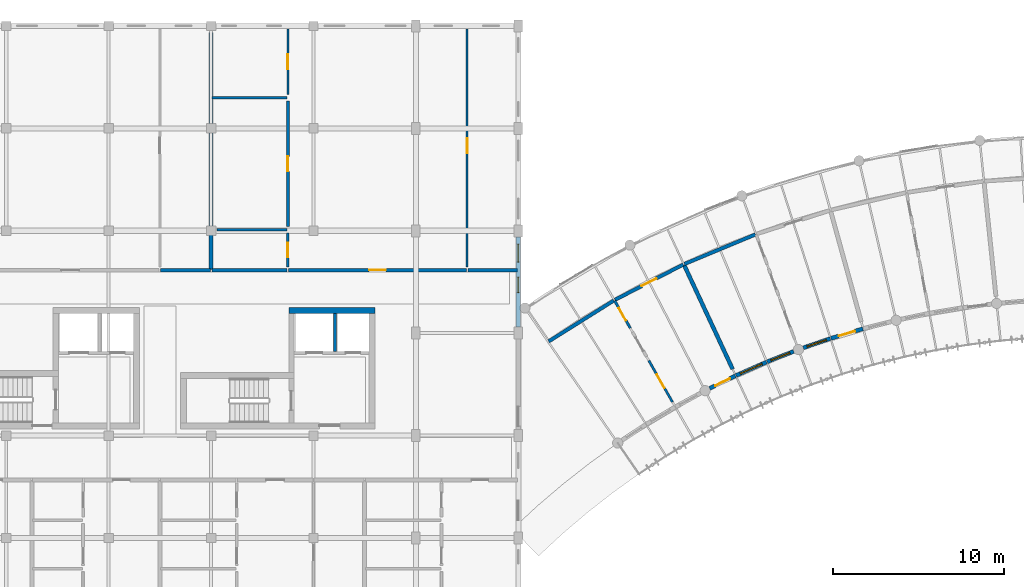
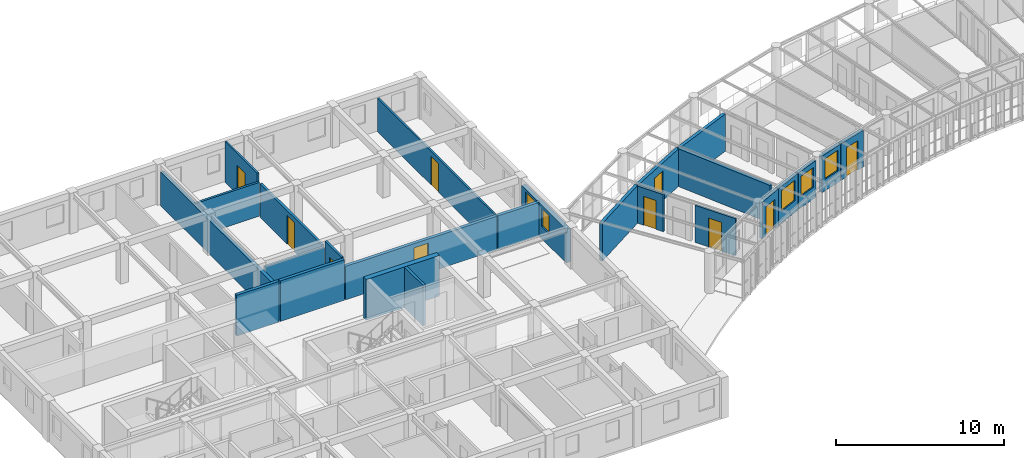
# One storey, part 72 of 101: 25 walls, 10 doors, 5 windows, 15 openings.
"""IFC4 building model written with IfcOpenShell, lengths in metres."""

from ifc_helpers import new_model, si_unit, direction, frame, frame_2d, origin, place, context, subcontext, project, spatial, rectangle, extrude, material, layer, layer_set, type_object, element, fill, save


model = new_model("IFC4")

# Units and contexts
model_context = context("Model", 3, precision=1e-05, world=origin(), true_north=direction((0.0, 1.0)))
body_context = subcontext(model_context, "Body", "Model", "MODEL_VIEW")
ifc_project = project(units=[si_unit("LENGTHUNIT", "METRE"), si_unit("AREAUNIT", "SQUARE_METRE"), si_unit("VOLUMEUNIT", "CUBIC_METRE"), si_unit("PLANEANGLEUNIT", "RADIAN"), si_unit("MASSUNIT", "GRAM", prefix="KILO"), si_unit("POWERUNIT", "WATT"), si_unit("THERMODYNAMICTEMPERATUREUNIT", "KELVIN")], contexts=[model_context])

# Site, building, storey
site_placement = place(None, origin())
site = spatial("IfcSite", under=ifc_project, at=site_placement, CompositionType="ELEMENT")
building_placement = place(site_placement, origin())
building = spatial("IfcBuilding", under=site, at=building_placement, Name="Ruvembo Vaulted Housing Court", CompositionType="ELEMENT")
storey_placement = place(building_placement, frame((0.0, 0.0, 17.300048828125)))
storey = spatial("IfcBuildingStorey", under=building, at=storey_placement, Name="L05", CompositionType="ELEMENT", Elevation=17.300048828125)

# Walls
ifc_material_1 = material(Name="Concrete C35/45", Category="concrete")
ifc_layer_1 = layer(ifc_material_1, 0.35009765625, Name="Concrete C35/45")
ifc_layer_set_1 = layer_set([ifc_layer_1], Name="Concrete C35/45")
wall_type_1 = type_object("IfcWallType", Name="WL-CORE-350", PredefinedType="SHEAR", material=ifc_layer_set_1)
wall_1_placement = place(storey_placement, frame((75.60009765625, 97.324951171875, 0.0), z_axis=(0.0, 0.0, 1.0), x_axis=(-1.0, 0.0, 0.0)))
element("IfcWall", 1, at=wall_1_placement, inside=storey, type_object=wall_type_1, Name="Core B2 L05 North Shear Wall", PredefinedType="SHEAR", context=body_context, shape_type="SweptSolid", body=[
    extrude(rectangle(XDim=5.050048828125, YDim=0.35009765625, at=frame_2d((2.52490234375, 0.0))), origin(), (0.0, 0.0, 1.0), 2.96484375),
])
ifc_material_2 = material(Name="Concrete Blockwork 210", Category="masonry")
ifc_layer_2 = layer(ifc_material_2, 0.2099609375, Name="Concrete Blockwork 210")
ifc_layer_set_2 = layer_set([ifc_layer_2], Name="Concrete Blockwork 210")
wall_type_2 = type_object("IfcWallType", Name="WL-CORR-210", PredefinedType="SOLIDWALL", material=ifc_layer_set_2)
wall_2_placement = place(storey_placement, frame((63.0400390625, 99.699951171875, 0.0), z_axis=(0.0, 0.0, 1.0), x_axis=(1.0, 0.0, 0.0)))
element("IfcWall", 2, at=wall_2_placement, inside=storey, type_object=wall_type_2, Name="L05 Flat B-L05-N1 Corridor Wall 2 WL-INT-L05-01473", PredefinedType="SOLIDWALL", context=body_context, shape_type="SweptSolid", body=[
    extrude(rectangle(XDim=2.919921875, YDim=0.2099609375, at=frame_2d((1.4599609375, 0.0))), origin(), (0.0, 0.0, 1.0), 2.96484375),
])
wall_3_placement = place(storey_placement, frame((66.0400390625, 99.699951171875, 0.0), z_axis=(0.0, 0.0, 1.0), x_axis=(1.0, 0.0, 0.0)))
element("IfcWall", 3, at=wall_3_placement, inside=storey, type_object=wall_type_2, Name="L05 Flat B-L05-N2 Corridor Wall WL-INT-L05-01475", PredefinedType="SOLIDWALL", context=body_context, shape_type="SweptSolid", body=[
    extrude(rectangle(XDim=4.419921875, YDim=0.2099609375, at=frame_2d((2.2099609375, 0.0))), origin(), (0.0, 0.0, 1.0), 2.96484375),
])

# Wall, opening, door
wall_4_placement = place(storey_placement, frame((70.5400390625, 99.699951171875, 0.0), z_axis=(0.0, 0.0, 1.0), x_axis=(1.0, 0.0, 0.0)))
wall_4 = element("IfcWall", 4, at=wall_4_placement, inside=storey, type_object=wall_type_2, Name="L05 Flat B-L05-N2 Entrance WL-INT-L05-01476", PredefinedType="SOLIDWALL", context=body_context, shape_type="SweptSolid", body=[
    extrude(rectangle(XDim=10.419921875, YDim=0.2099609375, at=frame_2d((5.2099609375, 0.0))), origin(), (0.0, 0.0, 1.0), 2.447021484375),
])
opening_1_placement = place(wall_4_placement, frame((4.719970703125, 0.0, 0.0)))
opening_1 = element("IfcOpeningElement", 5, at=opening_1_placement, cuts=wall_4, Name="Opening FD2", PredefinedType="OPENING", context=body_context, shape_type="SweptSolid", body=[
    extrude(rectangle(XDim=0.97998046875, YDim=2.14990234375, at=frame_2d((0.489990234375, 1.074951171875))), frame((0.0, 0.114990234375, 0.0), z_axis=(0.0, -1.0, 0.0), x_axis=(1.0, 0.0, 0.0)), (0.0, 0.0, 1.0), 0.22998046875),
])
ifc_material_3 = material(Name="FSC Hardwood and Engineered Timber", Category="wood")
door_type_1 = type_object("IfcDoorType", Name="DR-FLAT-0980x2150", OperationType="NOTDEFINED", PredefinedType="DOOR", material=ifc_material_3)
door_1_placement = place(opening_1_placement, origin())
door_1 = element("IfcDoor", 6, at=door_1_placement, inside=storey, type_object=door_type_1, Name="L05 Flat B-L05-N2 Entrance Door DR-INT-L05-00829", OperationType="SINGLE_SWING_LEFT", OverallHeight=2.14990234375, OverallWidth=0.97998046875, PredefinedType="DOOR", context=body_context, shape_type="SweptSolid", body=[
    extrude(rectangle(XDim=0.97998046875, YDim=2.14990234375, at=frame_2d((0.489990234375, 1.074951171875))), frame((0.0, 0.02490234375, 0.0), z_axis=(0.0, -1.0, 0.0), x_axis=(1.0, 0.0, 0.0)), (0.0, 0.0, 1.0), 0.050048828125),
])
fill(opening_1, door_1)

# Walls
wall_5_placement = place(storey_placement, frame((81.0400390625, 99.699951171875, 0.0), z_axis=(0.0, 0.0, 1.0), x_axis=(1.0, 0.0, 0.0)))
element("IfcWall", 7, at=wall_5_placement, inside=storey, type_object=wall_type_2, Name="L05 Flat B-L05-N2 Corridor Wall 2 WL-INT-L05-01482", PredefinedType="SOLIDWALL", context=body_context, shape_type="SweptSolid", body=[
    extrude(rectangle(XDim=2.919921875, YDim=0.2099609375, at=frame_2d((1.4599609375, 0.0))), origin(), (0.0, 0.0, 1.0), 2.447021484375),
])
wall_6_placement = place(storey_placement, frame((85.779052734375, 95.5205078125, 0.0), z_axis=(0.0, 0.0, 1.0), x_axis=(0.847037081085, 0.531533802563, 0.0)))
element("IfcWall", 8, at=wall_6_placement, inside=storey, type_object=wall_type_2, Name="L05 Suite SC3-L05-U1 Gallery Wall WL-INT-L05-01648", PredefinedType="SOLIDWALL", context=body_context, shape_type="SweptSolid", body=[
    extrude(rectangle(XDim=4.501220703125, YDim=0.2099609375, at=frame_2d((2.25048828125, 0.0))), origin(), (0.0, 0.0, 1.0), 2.75390625),
])

# Wall, opening, door
wall_7_placement = place(storey_placement, frame((89.661376953125, 97.95263671875, 0.0), z_axis=(0.0, 0.0, 1.0), x_axis=(0.888203141908, 0.459450953536, 0.0)))
wall_7 = element("IfcWall", 9, at=wall_7_placement, inside=storey, type_object=wall_type_2, Name="L05 Suite SC3-L05-U1 Entrance WL-INT-L05-01649", PredefinedType="SOLIDWALL", context=body_context, shape_type="SweptSolid", body=[
    extrude(rectangle(XDim=4.501220703125, YDim=0.2099609375, at=frame_2d((2.25048828125, 0.0))), origin(), (0.0, 0.0, 1.0), 2.73388671875),
])
opening_2_placement = place(wall_7_placement, frame((1.7607421875, 0.0, 0.0)))
opening_2 = element("IfcOpeningElement", 10, at=opening_2_placement, cuts=wall_7, Name="Opening FD2", PredefinedType="OPENING", context=body_context, shape_type="SweptSolid", body=[
    extrude(rectangle(XDim=0.97998046875, YDim=2.14990234375, at=frame_2d((0.489990234375, 1.074951171875))), frame((0.0, 0.114990234375, 0.0), z_axis=(0.0, -1.0, 0.0), x_axis=(1.0, 0.0, 0.0)), (0.0, 0.0, 1.0), 0.22998046875),
])
door_2_placement = place(opening_2_placement, origin())
door_2 = element("IfcDoor", 11, at=door_2_placement, inside=storey, type_object=door_type_1, Name="L05 Suite SC3-L05-U1 Entrance Door DR-INT-L05-00931", OperationType="SINGLE_SWING_LEFT", OverallHeight=2.14990234375, OverallWidth=0.97998046875, PredefinedType="DOOR", context=body_context, shape_type="SweptSolid", body=[
    extrude(rectangle(XDim=0.97998046875, YDim=2.14990234375, at=frame_2d((0.489990234375, 1.074951171875))), frame((0.0, 0.02490234375, 0.0), z_axis=(0.0, -1.0, 0.0), x_axis=(1.0, 0.0, 0.0)), (0.0, 0.0, 1.0), 0.050048828125),
])
fill(opening_2, door_2)

# Walls
wall_8_placement = place(storey_placement, frame((93.73193359375, 100.0546875, 0.0), z_axis=(0.0, 0.0, 1.0), x_axis=(0.923267760269, 0.384157054925, 0.0)))
element("IfcWall", 12, at=wall_8_placement, inside=storey, type_object=wall_type_2, Name="L05 Suite SC3-L05-U2 Gallery Wall WL-INT-L05-01654", PredefinedType="SOLIDWALL", context=body_context, shape_type="SweptSolid", body=[
    extrude(rectangle(XDim=4.50146484375, YDim=0.2099609375, at=frame_2d((2.250732421875, 0.0))), origin(), (0.0, 0.0, 1.0), 2.7138671875),
])
ifc_material_4 = material(Name="Acoustic Masonry Demising 230", Category="masonry")
ifc_layer_3 = layer(ifc_material_4, 0.22998046875, Name="Acoustic Masonry Demising 230")
ifc_layer_set_3 = layer_set([ifc_layer_3], Name="Acoustic Masonry Demising 230")
wall_type_3 = type_object("IfcWallType", Name="WL-DEM-230", PredefinedType="SOLIDWALL", material=ifc_layer_set_3)
wall_9_placement = place(storey_placement, frame((66.0, 99.739990234375, 0.0), z_axis=(0.0, 0.0, 1.0), x_axis=(0.0, 1.0, 0.0)))
element("IfcWall", 13, at=wall_9_placement, inside=storey, type_object=wall_type_3, Name="L05 Demising B-L05-N1 WL-INT-L05-01465", PredefinedType="SOLIDWALL", context=body_context, shape_type="SweptSolid", body=[
    extrude(rectangle(XDim=13.8701171875, YDim=0.22998046875, at=frame_2d((6.93505859375, 0.0))), origin(), (0.0, 0.0, 1.0), 2.4580078125),
])
wall_10_placement = place(storey_placement, frame((96.555908203125, 93.896728515625, 0.0), z_axis=(0.0, 0.0, 1.0), x_axis=(-0.422206763189, 0.906499558256, 0.0)))
element("IfcWall", 14, at=wall_10_placement, inside=storey, type_object=wall_type_3, Name="L05 Suite SC3-L05-U1 Demising WL-INT-L05-01653", PredefinedType="SOLIDWALL", context=body_context, shape_type="SweptSolid", body=[
    extrude(rectangle(XDim=6.736083984375, YDim=0.22998046875, at=frame_2d((3.3681640625, 0.0))), origin(), (0.0, 0.0, 1.0), 2.75390625),
])

# Wall, opening, door
ifc_material_5 = material(Name="Rendered Masonry 235", Category="masonry")
ifc_layer_4 = layer(ifc_material_5, 0.235107421875, Name="Rendered Masonry 235")
ifc_layer_set_4 = layer_set([ifc_layer_4], Name="Rendered Masonry 235")
wall_type_4 = type_object("IfcWallType", Name="WL-EXT-235", PredefinedType="STANDARD", material=ifc_layer_set_4)
wall_11_placement = place(storey_placement, frame((95.2158203125, 92.76611328125, 0.0), z_axis=(0.0, 0.0, 1.0), x_axis=(0.897558380725, 0.440895626186, 0.0)))
wall_11 = element("IfcWall", 15, at=wall_11_placement, inside=storey, type_object=wall_type_4, Name="Scoop SC3 L05 Concave Balcony Wall 3", PredefinedType="STANDARD", context=body_context, shape_type="SweptSolid", body=[
    extrude(rectangle(XDim=1.67236328125, YDim=0.235107421875, at=frame_2d((0.836181640625, 0.0))), origin(), (0.0, 0.0, 1.0), 2.676025390625),
])
opening_3_placement = place(wall_11_placement, frame((0.361083984375, 0.0, 0.0)))
opening_3 = element("IfcOpeningElement", 16, at=opening_3_placement, cuts=wall_11, Name="Opening BD0", PredefinedType="OPENING", context=body_context, shape_type="SweptSolid", body=[
    extrude(rectangle(XDim=0.949951171875, YDim=2.1201171875, at=frame_2d((0.47509765625, 1.06005859375))), frame((0.0, 0.12744140625, 0.0), z_axis=(0.0, -1.0, 0.0), x_axis=(1.0, 0.0, 0.0)), (0.0, 0.0, 1.0), 0.255126953125),
])
ifc_material_6 = material(Name="Thermally Broken Glazed Aluminium", Category="aluminium")
door_type_2 = type_object("IfcDoorType", Name="DR-BAL-0950x2120", OperationType="NOTDEFINED", PredefinedType="DOOR", material=ifc_material_6)
door_3_placement = place(opening_3_placement, frame((0.949951171875, 0.0, 0.0), z_axis=(0.0, 0.0, 1.0), x_axis=(-1.0, 0.0, 0.0)))
door_3 = element("IfcDoor", 17, at=door_3_placement, inside=storey, type_object=door_type_2, Name="Scoop SC3 L05 Balcony Door 3", OperationType="SINGLE_SWING_LEFT", OverallHeight=2.1201171875, OverallWidth=0.949951171875, PredefinedType="DOOR", context=body_context, shape_type="SweptSolid", body=[
    extrude(rectangle(XDim=0.949951171875, YDim=2.1201171875, at=frame_2d((0.47509765625, 1.06005859375))), frame((0.0, 0.02490234375, 0.0), z_axis=(0.0, -1.0, 0.0), x_axis=(1.0, 0.0, 0.0)), (0.0, 0.0, 1.0), 0.050048828125),
])
fill(opening_3, door_3)

# Wall, opening, window
wall_12_placement = place(storey_placement, frame((96.753173828125, 93.5205078125, 0.0), z_axis=(0.0, 0.0, 1.0), x_axis=(0.915126852478, 0.403166025197, 0.0)))
wall_12 = element("IfcWall", 18, at=wall_12_placement, inside=storey, type_object=wall_type_4, Name="Scoop SC3 L05 Concave Balcony Wall 4", PredefinedType="STANDARD", context=body_context, shape_type="SweptSolid", body=[
    extrude(rectangle(XDim=1.952392578125, YDim=0.235107421875, at=frame_2d((0.97607421875, 0.0))), origin(), (0.0, 0.0, 1.0), 2.676025390625),
])
opening_4_placement = place(wall_12_placement, frame((0.276123046875, 0.0, 0.85009765625)))
opening_4 = element("IfcOpeningElement", 19, at=opening_4_placement, cuts=wall_12, Name="Opening W17", PredefinedType="OPENING", context=body_context, shape_type="SweptSolid", body=[
    extrude(rectangle(XDim=1.39990234375, YDim=1.5, at=frame_2d((0.699951171875, 0.75))), frame((0.0, 0.12744140625, 0.0), z_axis=(0.0, -1.0, 0.0), x_axis=(1.0, 0.0, 0.0)), (0.0, 0.0, 1.0), 0.255126953125),
])
ifc_material_7 = material(Name="Double Solar-Control Glazing in Aluminium Frame", Category="aluminium")
window_type_1 = type_object("IfcWindowType", Name="WIN-1400x1500", PartitioningType="SINGLE_PANEL", PredefinedType="WINDOW", material=ifc_material_7)
window_1_placement = place(opening_4_placement, origin())
window_1 = element("IfcWindow", 20, at=window_1_placement, inside=storey, type_object=window_type_1, Name="Scoop SC3 L05 Concave Window 4", OverallHeight=1.5, OverallWidth=1.39990234375, PartitioningType="SINGLE_PANEL", PredefinedType="WINDOW", context=body_context, shape_type="SweptSolid", body=[
    extrude(rectangle(XDim=1.39990234375, YDim=1.5, at=frame_2d((0.699951171875, 0.75))), frame((0.0, 0.030029296875, 0.0), z_axis=(0.0, -1.0, 0.0), x_axis=(1.0, 0.0, 0.0)), (0.0, 0.0, 1.0), 0.06005859375),
])
fill(opening_4, window_1)

wall_13_placement = place(storey_placement, frame((98.57666015625, 94.322998046875, 0.0), z_axis=(0.0, 0.0, 1.0), x_axis=(0.930962495902, 0.365114819233, 0.0)))
wall_13 = element("IfcWall", 21, at=wall_13_placement, inside=storey, type_object=wall_type_4, Name="Scoop SC3 L05 Concave Balcony Wall 5", PredefinedType="STANDARD", context=body_context, shape_type="SweptSolid", body=[
    extrude(rectangle(XDim=1.67236328125, YDim=0.235107421875, at=frame_2d((0.836181640625, 0.0))), origin(), (0.0, 0.0, 1.0), 2.676025390625),
])
opening_5_placement = place(wall_13_placement, frame((0.236083984375, 0.0, 0.85009765625)))
opening_5 = element("IfcOpeningElement", 22, at=opening_5_placement, cuts=wall_13, Name="Opening W13", PredefinedType="OPENING", context=body_context, shape_type="SweptSolid", body=[
    extrude(rectangle(XDim=1.199951171875, YDim=1.449951171875, at=frame_2d((0.60009765625, 0.72509765625))), frame((0.0, 0.12744140625, 0.0), z_axis=(0.0, -1.0, 0.0), x_axis=(1.0, 0.0, 0.0)), (0.0, 0.0, 1.0), 0.255126953125),
])
window_type_2 = type_object("IfcWindowType", Name="WIN-1200x1450", PartitioningType="SINGLE_PANEL", PredefinedType="WINDOW", material=ifc_material_7)
window_2_placement = place(opening_5_placement, origin())
window_2 = element("IfcWindow", 23, at=window_2_placement, inside=storey, type_object=window_type_2, Name="Scoop SC3 L05 Concave Window 5", OverallHeight=1.449951171875, OverallWidth=1.199951171875, PartitioningType="SINGLE_PANEL", PredefinedType="WINDOW", context=body_context, shape_type="SweptSolid", body=[
    extrude(rectangle(XDim=1.199951171875, YDim=1.449951171875, at=frame_2d((0.60009765625, 0.72509765625))), frame((0.0, 0.030029296875, 0.0), z_axis=(0.0, -1.0, 0.0), x_axis=(1.0, 0.0, 0.0)), (0.0, 0.0, 1.0), 0.06005859375),
])
fill(opening_5, window_2)

wall_14_placement = place(storey_placement, frame((100.696533203125, 95.140869140625, 0.0), z_axis=(0.0, 0.0, 1.0), x_axis=(0.94537763557, 0.32597718657, 0.0)))
wall_14 = element("IfcWall", 24, at=wall_14_placement, inside=storey, type_object=wall_type_4, Name="Scoop SC3 L05 Concave Balcony Wall 6", PredefinedType="STANDARD", context=body_context, shape_type="SweptSolid", body=[
    extrude(rectangle(XDim=1.67236328125, YDim=0.235107421875, at=frame_2d((0.836181640625, 0.0))), origin(), (0.0, 0.0, 1.0), 2.676025390625),
])
opening_6_placement = place(wall_14_placement, frame((0.236083984375, 0.0, 0.85009765625)))
opening_6 = element("IfcOpeningElement", 25, at=opening_6_placement, cuts=wall_14, Name="Opening W14", PredefinedType="OPENING", context=body_context, shape_type="SweptSolid", body=[
    extrude(rectangle(XDim=1.199951171875, YDim=1.5, at=frame_2d((0.60009765625, 0.75))), frame((0.0, 0.12744140625, 0.0), z_axis=(0.0, -1.0, 0.0), x_axis=(1.0, 0.0, 0.0)), (0.0, 0.0, 1.0), 0.255126953125),
])
window_type_3 = type_object("IfcWindowType", Name="WIN-1200x1500", PartitioningType="SINGLE_PANEL", PredefinedType="WINDOW", material=ifc_material_7)
window_3_placement = place(opening_6_placement, origin())
window_3 = element("IfcWindow", 26, at=window_3_placement, inside=storey, type_object=window_type_3, Name="Scoop SC3 L05 Concave Window 6", OverallHeight=1.5, OverallWidth=1.199951171875, PartitioningType="SINGLE_PANEL", PredefinedType="WINDOW", context=body_context, shape_type="SweptSolid", body=[
    extrude(rectangle(XDim=1.199951171875, YDim=1.5, at=frame_2d((0.60009765625, 0.75))), frame((0.0, 0.030029296875, 0.0), z_axis=(0.0, -1.0, 0.0), x_axis=(1.0, 0.0, 0.0)), (0.0, 0.0, 1.0), 0.06005859375),
])
fill(opening_6, window_3)

# Wall, opening, door
wall_15_placement = place(storey_placement, frame((102.315673828125, 95.6982421875, 0.0), z_axis=(0.0, 0.0, 1.0), x_axis=(0.95807718441, 0.286510224446, 0.0)))
wall_15 = element("IfcWall", 27, at=wall_15_placement, inside=storey, type_object=wall_type_4, Name="Scoop SC3 L05 Concave Balcony Wall 7", PredefinedType="STANDARD", context=body_context, shape_type="SweptSolid", body=[
    extrude(rectangle(XDim=1.9521484375, YDim=0.235107421875, at=frame_2d((0.97607421875, 0.0))), origin(), (0.0, 0.0, 1.0), 2.676025390625),
])
opening_7_placement = place(wall_15_placement, frame((0.476318359375, 0.0, 0.0)))
opening_7 = element("IfcOpeningElement", 28, at=opening_7_placement, cuts=wall_15, Name="Opening BD1", PredefinedType="OPENING", context=body_context, shape_type="SweptSolid", body=[
    extrude(rectangle(XDim=1.0, YDim=2.14990234375, at=frame_2d((0.5, 1.074951171875))), frame((0.0, 0.12744140625, 0.0), z_axis=(0.0, -1.0, 0.0), x_axis=(1.0, 0.0, 0.0)), (0.0, 0.0, 1.0), 0.255126953125),
])
door_type_3 = type_object("IfcDoorType", Name="DR-BAL-1000x2150", OperationType="NOTDEFINED", PredefinedType="DOOR", material=ifc_material_6)
door_4_placement = place(opening_7_placement, frame((1.0, 0.0, 0.0), z_axis=(0.0, 0.0, 1.0), x_axis=(-1.0, 0.0, 0.0)))
door_4 = element("IfcDoor", 29, at=door_4_placement, inside=storey, type_object=door_type_3, Name="Scoop SC3 L05 Balcony Door 7", OperationType="SINGLE_SWING_RIGHT", OverallHeight=2.14990234375, OverallWidth=1.0, PredefinedType="DOOR", context=body_context, shape_type="SweptSolid", body=[
    extrude(rectangle(XDim=1.0, YDim=2.14990234375, at=frame_2d((0.5, 1.074951171875))), frame((0.0, 0.02490234375, 0.0), z_axis=(0.0, -1.0, 0.0), x_axis=(1.0, 0.0, 0.0)), (0.0, 0.0, 1.0), 0.050048828125),
])
fill(opening_7, door_4)

# Wall, openings, windows
ifc_material_8 = material(Name="Rendered Masonry 285", Category="masonry")
ifc_layer_5 = layer(ifc_material_8, 0.284912109375, Name="Rendered Masonry 285")
ifc_layer_set_5 = layer_set([ifc_layer_5], Name="Rendered Masonry 285")
wall_type_5 = type_object("IfcWallType", Name="WL-EXT-285", PredefinedType="STANDARD", material=ifc_layer_set_5)
wall_16_placement = place(storey_placement, frame((84.0, 96.35009765625, 0.0), z_axis=(0.0, 0.0, 1.0), x_axis=(0.0, 1.0, 0.0)))
wall_16 = element("IfcWall", 30, at=wall_16_placement, inside=storey, type_object=wall_type_5, Name="Block B L05 Exterior Wall EAST #4", PredefinedType="STANDARD", context=body_context, shape_type="SweptSolid", body=[
    extrude(rectangle(XDim=5.2998046875, YDim=0.284912109375, at=frame_2d((2.64990234375, 0.0))), origin(), (0.0, 0.0, 1.0), 2.447021484375),
])
opening_8_placement = place(wall_16_placement, frame((2.02880859375, 0.0, 0.89990234375)))
opening_8 = element("IfcOpeningElement", 31, at=opening_8_placement, cuts=wall_16, Name="Opening W04", PredefinedType="OPENING", context=body_context, shape_type="SweptSolid", body=[
    extrude(rectangle(XDim=0.89990234375, YDim=1.300048828125, at=frame_2d((0.449951171875, 0.64990234375))), frame((0.0, 0.15234375, 0.0), z_axis=(0.0, -1.0, 0.0), x_axis=(1.0, 0.0, 0.0)), (0.0, 0.0, 1.0), 0.304931640625),
])
opening_9_placement = place(wall_16_placement, frame((3.820068359375, 0.0, 0.89990234375)))
opening_9 = element("IfcOpeningElement", 32, at=opening_9_placement, cuts=wall_16, Name="Opening W09", PredefinedType="OPENING", context=body_context, shape_type="SweptSolid", body=[
    extrude(rectangle(XDim=1.050048828125, YDim=1.35009765625, at=frame_2d((0.52490234375, 0.675048828125))), frame((0.0, 0.15234375, 0.0), z_axis=(0.0, -1.0, 0.0), x_axis=(1.0, 0.0, 0.0)), (0.0, 0.0, 1.0), 0.304931640625),
])
window_type_4 = type_object("IfcWindowType", Name="WIN-0900x1300", PartitioningType="SINGLE_PANEL", PredefinedType="WINDOW", material=ifc_material_7)
window_4_placement = place(opening_8_placement, origin())
window_4 = element("IfcWindow", 33, at=window_4_placement, inside=storey, type_object=window_type_4, Name="Block B L05 Window #825", OverallHeight=1.300048828125, OverallWidth=0.89990234375, PartitioningType="SINGLE_PANEL", PredefinedType="WINDOW", context=body_context, shape_type="SweptSolid", body=[
    extrude(rectangle(XDim=0.89990234375, YDim=1.300048828125, at=frame_2d((0.449951171875, 0.64990234375))), frame((0.0, 0.030029296875, 0.0), z_axis=(0.0, -1.0, 0.0), x_axis=(1.0, 0.0, 0.0)), (0.0, 0.0, 1.0), 0.06005859375),
])
fill(opening_8, window_4)
window_type_5 = type_object("IfcWindowType", Name="WIN-1050x1350", PartitioningType="SINGLE_PANEL", PredefinedType="WINDOW", material=ifc_material_7)
window_5_placement = place(opening_9_placement, origin())
window_5 = element("IfcWindow", 34, at=window_5_placement, inside=storey, type_object=window_type_5, Name="Block B L05 Window #826", OverallHeight=1.35009765625, OverallWidth=1.050048828125, PartitioningType="SINGLE_PANEL", PredefinedType="WINDOW", context=body_context, shape_type="SweptSolid", body=[
    extrude(rectangle(XDim=1.050048828125, YDim=1.35009765625, at=frame_2d((0.52490234375, 0.675048828125))), frame((0.0, 0.030029296875, 0.0), z_axis=(0.0, -1.0, 0.0), x_axis=(1.0, 0.0, 0.0)), (0.0, 0.0, 1.0), 0.06005859375),
])
fill(opening_9, window_5)

# Wall, opening, door
ifc_material_9 = material(Name="Plasterboard Stud Partition 125", Category="gypsum")
ifc_layer_6 = layer(ifc_material_9, 0.125, Name="Plasterboard Stud Partition 125")
ifc_layer_set_6 = layer_set([ifc_layer_6], Name="Plasterboard Stud Partition 125")
wall_type_6 = type_object("IfcWallType", Name="WL-PART-125", PredefinedType="PARTITIONING", material=ifc_layer_set_6)
wall_17_placement = place(storey_placement, frame((70.5, 109.989990234375, 0.0), z_axis=(0.0, 0.0, 1.0), x_axis=(0.0, 1.0, 0.0)))
wall_17 = element("IfcWall", 35, at=wall_17_placement, inside=storey, type_object=wall_type_6, Name="L05 Flat B-L05-N2 Bedroom 1 WL-INT-L05-01477", PredefinedType="PARTITIONING", context=body_context, shape_type="SweptSolid", body=[
    extrude(rectangle(XDim=3.820068359375, YDim=0.125, at=frame_2d((1.91015625, 0.0))), origin(), (0.0, 0.0, 1.0), 2.96484375),
])
opening_10_placement = place(wall_17_placement, frame((1.4599609375, 0.0, 0.0)))
opening_10 = element("IfcOpeningElement", 36, at=opening_10_placement, cuts=wall_17, Name="Opening ID1", PredefinedType="OPENING", context=body_context, shape_type="SweptSolid", body=[
    extrude(rectangle(XDim=0.89990234375, YDim=2.10009765625, at=frame_2d((0.449951171875, 1.050048828125))), frame((0.0, 0.072509765625, 0.0), z_axis=(0.0, -1.0, 0.0), x_axis=(1.0, 0.0, 0.0)), (0.0, 0.0, 1.0), 0.14501953125),
])
door_type_4 = type_object("IfcDoorType", Name="DR-ROOM-0900x2100", OperationType="NOTDEFINED", PredefinedType="DOOR", material=ifc_material_3)
door_5_placement = place(opening_10_placement, origin())
door_5 = element("IfcDoor", 37, at=door_5_placement, inside=storey, type_object=door_type_4, Name="L05 Flat B-L05-N2 Bedroom 1 Door DR-INT-L05-00830", OperationType="SINGLE_SWING_RIGHT", OverallHeight=2.10009765625, OverallWidth=0.89990234375, PredefinedType="DOOR", context=body_context, shape_type="SweptSolid", body=[
    extrude(rectangle(XDim=0.89990234375, YDim=2.10009765625, at=frame_2d((0.449951171875, 1.050048828125))), frame((0.0, 0.02490234375, 0.0), z_axis=(0.0, -1.0, 0.0), x_axis=(1.0, 0.0, 0.0)), (0.0, 0.0, 1.0), 0.050048828125),
])
fill(opening_10, door_5)

wall_18_placement = place(storey_placement, frame((81.0, 99.889892578125, 0.0), z_axis=(0.0, 0.0, 1.0), x_axis=(0.0, 1.0, 0.0)))
wall_18 = element("IfcWall", 38, at=wall_18_placement, inside=storey, type_object=wall_type_6, Name="L05 Flat B-L05-N2 Bedroom 2 WL-INT-L05-01483", PredefinedType="PARTITIONING", context=body_context, shape_type="SweptSolid", body=[
    extrude(rectangle(XDim=13.920166015625, YDim=0.125, at=frame_2d((6.9599609375, 0.0))), origin(), (0.0, 0.0, 1.0), 2.447021484375),
])
opening_11_placement = place(wall_18_placement, frame((6.64990234375, 0.0, 0.0)))
opening_11 = element("IfcOpeningElement", 39, at=opening_11_placement, cuts=wall_18, Name="Opening ID3", PredefinedType="OPENING", context=body_context, shape_type="SweptSolid", body=[
    extrude(rectangle(XDim=0.8798828125, YDim=2.10009765625, at=frame_2d((0.43994140625, 1.050048828125))), frame((0.0, 0.072509765625, 0.0), z_axis=(0.0, -1.0, 0.0), x_axis=(1.0, 0.0, 0.0)), (0.0, 0.0, 1.0), 0.14501953125),
])
door_type_5 = type_object("IfcDoorType", Name="DR-ROOM-0880x2100", OperationType="NOTDEFINED", PredefinedType="DOOR", material=ifc_material_3)
door_6_placement = place(opening_11_placement, origin())
door_6 = element("IfcDoor", 40, at=door_6_placement, inside=storey, type_object=door_type_5, Name="L05 Flat B-L05-N2 Bedroom 2 Door DR-INT-L05-00833", OperationType="SINGLE_SWING_LEFT", OverallHeight=2.10009765625, OverallWidth=0.8798828125, PredefinedType="DOOR", context=body_context, shape_type="SweptSolid", body=[
    extrude(rectangle(XDim=0.8798828125, YDim=2.10009765625, at=frame_2d((0.43994140625, 1.050048828125))), frame((0.0, 0.02490234375, 0.0), z_axis=(0.0, -1.0, 0.0), x_axis=(1.0, 0.0, 0.0)), (0.0, 0.0, 1.0), 0.050048828125),
])
fill(opening_11, door_6)

ifc_material_10 = material(Name="Acoustic Stud Partition 135", Category="gypsum")
ifc_layer_7 = layer(ifc_material_10, 0.135009765625, Name="Acoustic Stud Partition 135")
ifc_layer_set_7 = layer_set([ifc_layer_7], Name="Acoustic Stud Partition 135")
wall_type_7 = type_object("IfcWallType", Name="WL-PART-135", PredefinedType="PARTITIONING", material=ifc_layer_set_7)
wall_19_placement = place(storey_placement, frame((93.03369140625, 91.966796875, 0.0), z_axis=(0.0, 0.0, 1.0), x_axis=(-0.495951127449, 0.868350435701, 0.0)))
wall_19 = element("IfcWall", 41, at=wall_19_placement, inside=storey, type_object=wall_type_7, Name="L05 Suite SC3-L05-U1 Bedroom WL-INT-L05-01650", PredefinedType="PARTITIONING", context=body_context, shape_type="SweptSolid", body=[
    extrude(rectangle(XDim=2.800048828125, YDim=0.135009765625, at=frame_2d((1.39990234375, 0.0))), origin(), (0.0, 0.0, 1.0), 2.7138671875),
])
opening_12_placement = place(wall_19_placement, frame((0.9501953125, 0.0, 0.0)))
opening_12 = element("IfcOpeningElement", 42, at=opening_12_placement, cuts=wall_19, Name="Opening ID1", PredefinedType="OPENING", context=body_context, shape_type="SweptSolid", body=[
    extrude(rectangle(XDim=0.89990234375, YDim=2.10009765625, at=frame_2d((0.449951171875, 1.050048828125))), frame((0.0, 0.077392578125, 0.0), z_axis=(0.0, -1.0, 0.0), x_axis=(1.0, 0.0, 0.0)), (0.0, 0.0, 1.0), 0.155029296875),
])
door_7_placement = place(opening_12_placement, origin())
door_7 = element("IfcDoor", 43, at=door_7_placement, inside=storey, type_object=door_type_4, Name="L05 Suite SC3-L05-U1 Bedroom Door DR-INT-L05-00932", OperationType="SINGLE_SWING_RIGHT", OverallHeight=2.10009765625, OverallWidth=0.89990234375, PredefinedType="DOOR", context=body_context, shape_type="SweptSolid", body=[
    extrude(rectangle(XDim=0.89990234375, YDim=2.10009765625, at=frame_2d((0.449951171875, 1.050048828125))), frame((0.0, 0.02490234375, 0.0), z_axis=(0.0, -1.0, 0.0), x_axis=(1.0, 0.0, 0.0)), (0.0, 0.0, 1.0), 0.050048828125),
])
fill(opening_12, door_7)

ifc_material_11 = material(Name="Moisture-Resistant Wet Partition 150", Category="gypsum")
ifc_layer_8 = layer(ifc_material_11, 0.14990234375, Name="Moisture-Resistant Wet Partition 150")
ifc_layer_set_8 = layer_set([ifc_layer_8], Name="Moisture-Resistant Wet Partition 150")
wall_type_8 = type_object("IfcWallType", Name="WL-PART-150", PredefinedType="PARTITIONING", material=ifc_layer_set_8)
wall_20_placement = place(storey_placement, frame((70.5, 99.889892578125, 0.0), z_axis=(0.0, 0.0, 1.0), x_axis=(0.0, 1.0, 0.0)))
wall_20 = element("IfcWall", 44, at=wall_20_placement, inside=storey, type_object=wall_type_8, Name="L05 Flat B-L05-N2 Bathroom WL-INT-L05-01479", PredefinedType="PARTITIONING", context=body_context, shape_type="SweptSolid", body=[
    extrude(rectangle(XDim=1.97021484375, YDim=0.14990234375, at=frame_2d((0.985107421875, 0.0))), origin(), (0.0, 0.0, 1.0), 2.96484375),
])
opening_13_placement = place(wall_20_placement, frame((0.56005859375, 0.0, 0.0)))
opening_13 = element("IfcOpeningElement", 45, at=opening_13_placement, cuts=wall_20, Name="Opening ID2", PredefinedType="OPENING", context=body_context, shape_type="SweptSolid", body=[
    extrude(rectangle(XDim=0.85009765625, YDim=2.10009765625, at=frame_2d((0.425048828125, 1.050048828125))), frame((0.0, 0.0849609375, 0.0), z_axis=(0.0, -1.0, 0.0), x_axis=(1.0, 0.0, 0.0)), (0.0, 0.0, 1.0), 0.169921875),
])
door_type_6 = type_object("IfcDoorType", Name="DR-WET-0850x2100", OperationType="NOTDEFINED", PredefinedType="DOOR", material=ifc_material_3)
door_8_placement = place(opening_13_placement, origin())
door_8 = element("IfcDoor", 46, at=door_8_placement, inside=storey, type_object=door_type_6, Name="L05 Flat B-L05-N2 Bathroom Door DR-INT-L05-00832", OperationType="SINGLE_SWING_RIGHT", OverallHeight=2.10009765625, OverallWidth=0.85009765625, PredefinedType="DOOR", context=body_context, shape_type="SweptSolid", body=[
    extrude(rectangle(XDim=0.85009765625, YDim=2.10009765625, at=frame_2d((0.425048828125, 1.050048828125))), frame((0.0, 0.02490234375, 0.0), z_axis=(0.0, -1.0, 0.0), x_axis=(1.0, 0.0, 0.0)), (0.0, 0.0, 1.0), 0.050048828125),
])
fill(opening_13, door_8)

# Walls
wall_21_placement = place(storey_placement, frame((66.0400390625, 109.800048828125, 0.0), z_axis=(0.0, 0.0, 1.0), x_axis=(1.0, 0.0, 0.0)))
element("IfcWall", 47, at=wall_21_placement, inside=storey, type_object=wall_type_8, Name="L05 Flat B-L05-N2 Wet Wall 1 WL-INT-L05-01480", PredefinedType="PARTITIONING", context=body_context, shape_type="SweptSolid", body=[
    extrude(rectangle(XDim=4.419921875, YDim=0.14990234375, at=frame_2d((2.2099609375, 0.0))), origin(), (0.0, 0.0, 1.0), 2.4580078125),
])
wall_22_placement = place(storey_placement, frame((66.360107421875, 102.050048828125, 0.0), z_axis=(0.0, 0.0, 1.0), x_axis=(1.0, 0.0, 0.0)))
element("IfcWall", 48, at=wall_22_placement, inside=storey, type_object=wall_type_8, Name="L05 Flat B-L05-N2 Wet Wall 2 WL-INT-L05-01481", PredefinedType="PARTITIONING", context=body_context, shape_type="SweptSolid", body=[
    extrude(rectangle(XDim=4.099853515625, YDim=0.14990234375, at=frame_2d((2.0498046875, 0.0))), origin(), (0.0, 0.0, 1.0), 2.447021484375),
])

# Wall, opening, door
wall_23_placement = place(storey_placement, frame((90.55810546875, 96.3017578125, 0.0), z_axis=(0.0, 0.0, 1.0), x_axis=(-0.495938892217, 0.868357423638, 0.0)))
wall_23 = element("IfcWall", 49, at=wall_23_placement, inside=storey, type_object=wall_type_8, Name="L05 Suite SC3-L05-U1 Bathroom WL-INT-L05-01652", PredefinedType="PARTITIONING", context=body_context, shape_type="SweptSolid", body=[
    extrude(rectangle(XDim=1.840087890625, YDim=0.14990234375, at=frame_2d((0.919921875, 0.0))), origin(), (0.0, 0.0, 1.0), 2.7138671875),
])
opening_14_placement = place(wall_23_placement, frame((0.4951171875, 0.0, 0.0)))
opening_14 = element("IfcOpeningElement", 50, at=opening_14_placement, cuts=wall_23, Name="Opening ID2", PredefinedType="OPENING", context=body_context, shape_type="SweptSolid", body=[
    extrude(rectangle(XDim=0.85009765625, YDim=2.10009765625, at=frame_2d((0.425048828125, 1.050048828125))), frame((0.0, 0.0849609375, 0.0), z_axis=(0.0, -1.0, 0.0), x_axis=(1.0, 0.0, 0.0)), (0.0, 0.0, 1.0), 0.169921875),
])
door_9_placement = place(opening_14_placement, origin())
door_9 = element("IfcDoor", 51, at=door_9_placement, inside=storey, type_object=door_type_6, Name="L05 Suite SC3-L05-U1 Bathroom Door DR-INT-L05-00934", OperationType="SINGLE_SWING_RIGHT", OverallHeight=2.10009765625, OverallWidth=0.85009765625, PredefinedType="DOOR", context=body_context, shape_type="SweptSolid", body=[
    extrude(rectangle(XDim=0.85009765625, YDim=2.10009765625, at=frame_2d((0.425048828125, 1.050048828125))), frame((0.0, 0.02490234375, 0.0), z_axis=(0.0, -1.0, 0.0), x_axis=(1.0, 0.0, 0.0)), (0.0, 0.0, 1.0), 0.050048828125),
])
fill(opening_14, door_9)

ifc_material_12 = material(Name="Acoustic Service Chase Wall 160", Category="gypsum")
ifc_layer_9 = layer(ifc_material_12, 0.159912109375, Name="Acoustic Service Chase Wall 160")
ifc_layer_set_9 = layer_set([ifc_layer_9], Name="Acoustic Service Chase Wall 160")
wall_type_9 = type_object("IfcWallType", Name="WL-PLUMB-160", PredefinedType="PLUMBINGWALL", material=ifc_layer_set_9)
wall_24_placement = place(storey_placement, frame((70.5, 102.239990234375, 0.0), z_axis=(0.0, 0.0, 1.0), x_axis=(0.0, 1.0, 0.0)))
wall_24 = element("IfcWall", 52, at=wall_24_placement, inside=storey, type_object=wall_type_9, Name="L05 Flat B-L05-N2 Kitchen WL-INT-L05-01478", PredefinedType="PLUMBINGWALL", context=body_context, shape_type="SweptSolid", body=[
    extrude(rectangle(XDim=7.3701171875, YDim=0.159912109375, at=frame_2d((3.68505859375, 0.0))), origin(), (0.0, 0.0, 1.0), 2.447021484375),
])
opening_15_placement = place(wall_24_placement, frame((3.2451171875, 0.0, 0.0)))
opening_15 = element("IfcOpeningElement", 53, at=opening_15_placement, cuts=wall_24, Name="Opening ID3", PredefinedType="OPENING", context=body_context, shape_type="SweptSolid", body=[
    extrude(rectangle(XDim=0.8798828125, YDim=2.10009765625, at=frame_2d((0.43994140625, 1.050048828125))), frame((0.0, 0.08984375, 0.0), z_axis=(0.0, -1.0, 0.0), x_axis=(1.0, 0.0, 0.0)), (0.0, 0.0, 1.0), 0.179931640625),
])
door_10_placement = place(opening_15_placement, origin())
door_10 = element("IfcDoor", 54, at=door_10_placement, inside=storey, type_object=door_type_5, Name="L05 Flat B-L05-N2 Kitchen Door DR-INT-L05-00831", OperationType="SINGLE_SWING_LEFT", OverallHeight=2.10009765625, OverallWidth=0.8798828125, PredefinedType="DOOR", context=body_context, shape_type="SweptSolid", body=[
    extrude(rectangle(XDim=0.8798828125, YDim=2.10009765625, at=frame_2d((0.43994140625, 1.050048828125))), frame((0.0, 0.02490234375, 0.0), z_axis=(0.0, -1.0, 0.0), x_axis=(1.0, 0.0, 0.0)), (0.0, 0.0, 1.0), 0.050048828125),
])
fill(opening_15, door_10)

# Wall
ifc_material_13 = material(Name="Fire-Rated Masonry Shaft 180", Category="masonry")
ifc_layer_10 = layer(ifc_material_13, 0.179931640625, Name="Fire-Rated Masonry Shaft 180")
ifc_layer_set_10 = layer_set([ifc_layer_10], Name="Fire-Rated Masonry Shaft 180")
wall_type_10 = type_object("IfcWallType", Name="WL-SHAFT-180", PredefinedType="SOLIDWALL", material=ifc_layer_set_10)
wall_25_placement = place(storey_placement, frame((73.27001953125, 94.93994140625, 0.0), z_axis=(0.0, 0.0, 1.0), x_axis=(0.0, 1.0, 0.0)))
element("IfcWall", 55, at=wall_25_placement, inside=storey, type_object=wall_type_10, Name="Core B2 L05 Shaft-Riser Divider Wall", PredefinedType="SOLIDWALL", context=body_context, shape_type="SweptSolid", body=[
    extrude(rectangle(XDim=2.2099609375, YDim=0.179931640625, at=frame_2d((1.10498046875, 0.0))), origin(), (0.0, 0.0, 1.0), 2.96484375),
])

save(model, "model.ifc")
